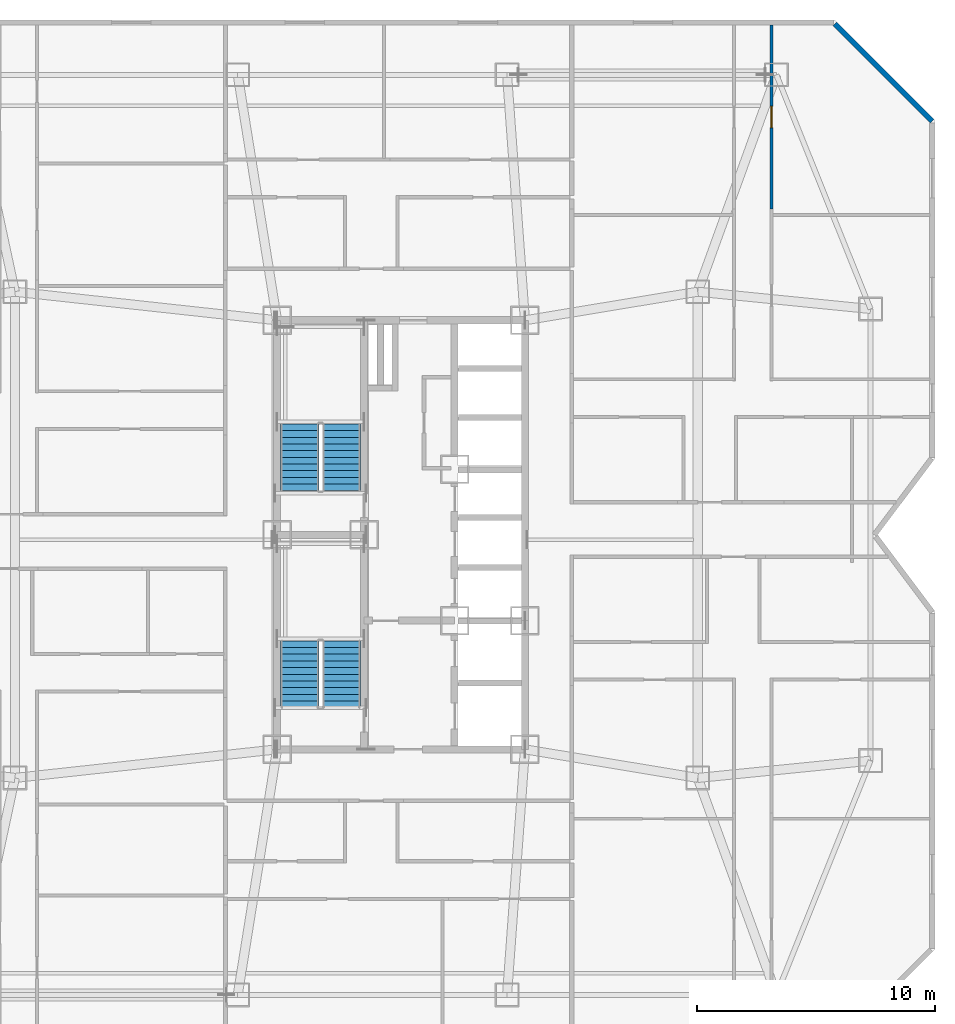
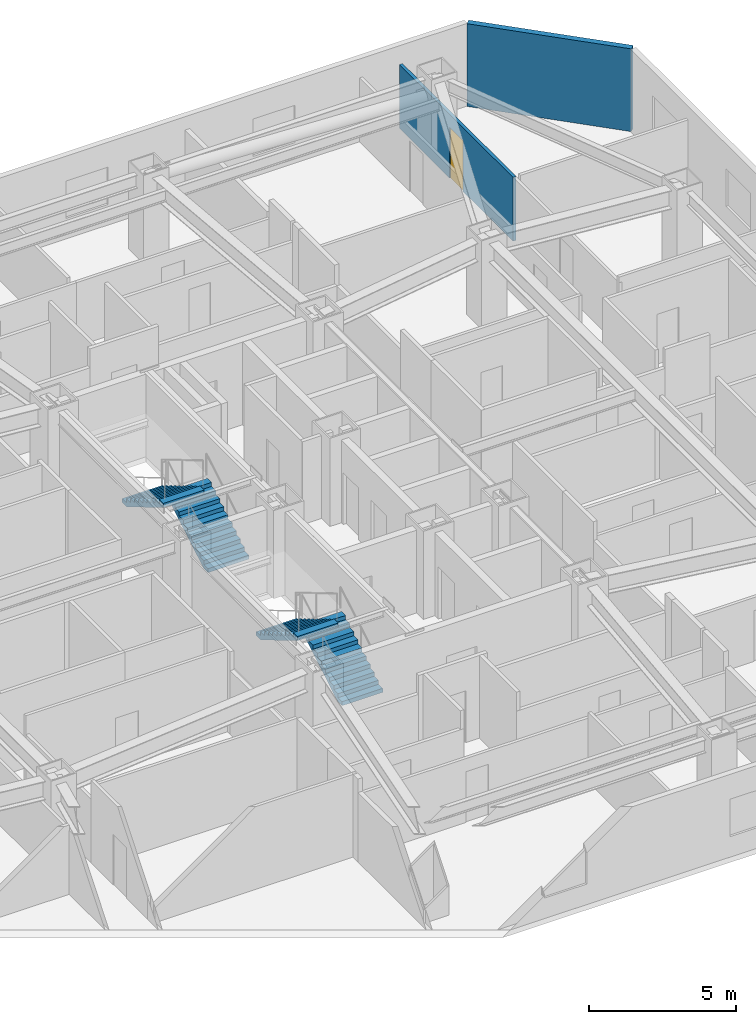
# One storey, part 9 of 10: 4 stair flights, 2 walls, 1 door, 1 opening, 2 elements without a shape of their own.
"""IFC4 building model written with IfcOpenShell, lengths in metres."""

from ifc_helpers import new_model, si_unit, direction, frame, frame_2d, origin, place, context, subcontext, project, spatial, polyline, rectangle, outline, extrude, material, layer, layer_set, type_object, element, fill, aggregate, save


model = new_model("IFC4")

# Units and contexts
model_context = context("Model", 3, precision=1e-05, world=origin(), true_north=direction((0.0, 1.0)))
body_context = subcontext(model_context, "Body", "Model", "MODEL_VIEW")
ifc_project = project(units=[si_unit("LENGTHUNIT", "METRE"), si_unit("AREAUNIT", "SQUARE_METRE"), si_unit("VOLUMEUNIT", "CUBIC_METRE"), si_unit("PLANEANGLEUNIT", "RADIAN"), si_unit("MASSUNIT", "GRAM", prefix="KILO")], contexts=[model_context])

# Site, building, storey
site_placement = place(None, origin())
site = spatial("IfcSite", under=ifc_project, at=site_placement, CompositionType="ELEMENT")
building_placement = place(site_placement, origin())
building = spatial("IfcBuilding", under=site, at=building_placement, Name="Khamvora Tower", CompositionType="ELEMENT")
storey_placement = place(building_placement, frame((0.0, 0.0, 94.60009765625)))
storey = spatial("IfcBuildingStorey", under=building, at=storey_placement, Name="L23", CompositionType="ELEMENT", Elevation=94.60009765625)

# Wall
ifc_material_1 = material(Name="Precast concrete C40/50", Category="concrete")
ifc_layer_1 = layer(ifc_material_1, 0.219970703125)
ifc_layer_set_1 = layer_set([ifc_layer_1], Name="Precast concrete C40/50")
wall_type_1 = type_object("IfcWallType", Name="WAL-EXT-220", PredefinedType="STANDARD", material=ifc_layer_set_1)
wall_1_placement = place(storey_placement, frame((52.402099609375, 49.44189453125, 0.0), z_axis=(0.0, 0.0, 1.0), x_axis=(0.707106781187, -0.707106781187, 0.0)))
element("IfcWall", 1, at=wall_1_placement, inside=storey, type_object=wall_type_1, Name="L23 exterior facade wall 08.1", PredefinedType="STANDARD", context=body_context, shape_type="SweptSolid", body=[
    extrude(rectangle(XDim=5.78125, YDim=0.219970703125, at=frame_2d((2.890625, 0.0))), origin(), (0.0, 0.0, 1.0), 3.429931640625),
])

# Wall, opening, door
ifc_material_2 = material(Name="Gypsum Plasterboard Partition", Category="gypsum")
ifc_layer_2 = layer(ifc_material_2, 0.1201171875)
ifc_layer_set_2 = layer_set([ifc_layer_2], Name="Gypsum Plasterboard Partition")
wall_type_2 = type_object("IfcWallType", Name="WAL-PART-120", PredefinedType="PARTITIONING", material=ifc_layer_set_2)
wall_2_placement = place(storey_placement, frame((49.7451171875, 49.387939453125, 0.0), z_axis=(0.0, 0.0, 1.0), x_axis=(0.0, -1.0, 0.0)))
wall_2 = element("IfcWall", 2, at=wall_2_placement, inside=storey, type_object=wall_type_2, Name="L23 interior partition wall 120", PredefinedType="PARTITIONING", context=body_context, shape_type="SweptSolid", body=[
    extrude(rectangle(XDim=7.71484375, YDim=0.1201171875, at=frame_2d((3.857421875, 0.0))), origin(), (0.0, 0.0, 1.0), 2.64697265625),
])
opening_placement = place(wall_2_placement, frame((3.406982421875, 0.0, 0.0)))
opening = element("IfcOpeningElement", 3, at=opening_placement, cuts=wall_2, Name="Opening D-RM1", PredefinedType="OPENING", context=body_context, shape_type="SweptSolid", body=[
    extrude(rectangle(XDim=0.89990234375, YDim=2.10009765625, at=frame_2d((0.449951171875, 1.050048828125))), frame((0.0, 0.070068359375, 0.0), z_axis=(0.0, -1.0, 0.0), x_axis=(1.0, 0.0, 0.0)), (0.0, 0.0, 1.0), 0.14013671875),
])
ifc_material_3 = material(Name="Powder-Coated Steel and Hardwood Leaf", Category="steel")
door_type = type_object("IfcDoorType", Name="DOR-ROOM-900", OperationType="NOTDEFINED", PredefinedType="DOOR", material=ifc_material_3)
door_placement = place(opening_placement, origin())
door = element("IfcDoor", 4, at=door_placement, inside=storey, type_object=door_type, Name="L23 interior door 23EBH-23EBR4", OperationType="SINGLE_SWING_RIGHT", OverallHeight=2.10009765625, OverallWidth=0.89990234375, PredefinedType="DOOR", context=body_context, shape_type="SweptSolid", body=[
    extrude(rectangle(XDim=0.89990234375, YDim=2.10009765625, at=frame_2d((0.449951171875, 1.050048828125))), frame((0.0, 0.02490234375, 0.0), z_axis=(0.0, -1.0, 0.0), x_axis=(1.0, 0.0, 0.0)), (0.0, 0.0, 1.0), 0.050048828125),
])
fill(opening, door)

# Stair, stair flights
ifc_material_4 = material(Name="Concrete C40/50", Category="concrete")
stair_type_1 = type_object("IfcStairType", Name="STR-ST-01", PredefinedType="HALF_TURN_STAIR", material=ifc_material_4)
stair_1_placement = place(storey_placement, origin())
stair_1 = element("IfcStair", 5, at=stair_1_placement, inside=storey, type_object=stair_type_1, Name="L23 South Tower Exit Stair ST-01", PredefinedType="HALF_TURN_STAIR")
stair_flight_type_1 = type_object("IfcStairFlightType", Name="STF-ST-01", PredefinedType="STRAIGHT", material=ifc_material_4)
stair_flight_1_placement = place(storey_placement, frame((31.699951171875, 20.75, 0.0), z_axis=(0.0, 0.0, 1.0), x_axis=(0.0, 1.0, 0.0)))
stair_flight_1 = element("IfcStairFlight", 6, at=stair_flight_1_placement, type_object=stair_flight_type_1, Name="ST-01 flight 1", NumberOfRisers=11, NumberOfTreads=10, PredefinedType="STRAIGHT", RiserHeight=0.165909091, TreadLength=0.28, context=body_context, shape_type="SweptSolid", body=[
    extrude(outline(polyline([(0.0, 0.0), (0.0, 0.166015625), (0.280029296875, 0.166015625), (0.280029296875, 0.331787109375), (0.56005859375, 0.331787109375), (0.56005859375, 0.497802734375), (0.840087890625, 0.497802734375), (0.840087890625, 0.66357421875), (1.1201171875, 0.66357421875), (1.1201171875, 0.82958984375), (1.39990234375, 0.82958984375), (1.39990234375, 0.995361328125), (1.679931640625, 0.995361328125), (1.679931640625, 1.161376953125), (1.9599609375, 1.161376953125), (1.9599609375, 1.327392578125), (2.239990234375, 1.327392578125), (2.239990234375, 1.4931640625), (2.52001953125, 1.4931640625), (2.52001953125, 1.6591796875), (2.800048828125, 1.6591796875), (2.800048828125, 1.824951171875), (2.800048828125, 1.48486328125), (0.2939453125, 0.0), (0.0, 0.0)])), frame((0.0, 0.800048828125, 0.0), z_axis=(0.0, -1.0, 0.0), x_axis=(1.0, 0.0, 0.0)), (0.0, 0.0, 1.0), 1.60009765625),
])
stair_flight_2_placement = place(storey_placement, frame((29.949951171875, 23.550048828125, 1.824951171875), z_axis=(0.0, 0.0, 1.0), x_axis=(0.0, -1.0, 0.0)))
stair_flight_2 = element("IfcStairFlight", 7, at=stair_flight_2_placement, type_object=stair_flight_type_1, Name="ST-01 flight 2", NumberOfRisers=11, NumberOfTreads=10, PredefinedType="STRAIGHT", RiserHeight=0.165909091, TreadLength=0.28, context=body_context, shape_type="SweptSolid", body=[
    extrude(outline(polyline([(0.0, 0.0), (0.0, 0.166015625), (0.280029296875, 0.166015625), (0.280029296875, 0.331787109375), (0.56005859375, 0.331787109375), (0.56005859375, 0.497802734375), (0.840087890625, 0.497802734375), (0.840087890625, 0.66357421875), (1.1201171875, 0.66357421875), (1.1201171875, 0.82958984375), (1.39990234375, 0.82958984375), (1.39990234375, 0.995361328125), (1.679931640625, 0.995361328125), (1.679931640625, 1.161376953125), (1.9599609375, 1.161376953125), (1.9599609375, 1.327392578125), (2.239990234375, 1.327392578125), (2.239990234375, 1.4931640625), (2.52001953125, 1.4931640625), (2.52001953125, 1.6591796875), (2.800048828125, 1.6591796875), (2.800048828125, 1.824951171875), (2.800048828125, 1.48486328125), (0.2939453125, 0.0), (0.0, 0.0)])), frame((0.0, 0.800048828125, 0.0), z_axis=(0.0, -1.0, 0.0), x_axis=(1.0, 0.0, 0.0)), (0.0, 0.0, 1.0), 1.60009765625),
])
aggregate(stair_1, [stair_flight_1, stair_flight_2])

stair_type_2 = type_object("IfcStairType", Name="STR-ST-02", PredefinedType="HALF_TURN_STAIR", material=ifc_material_4)
stair_2_placement = place(storey_placement, origin())
stair_2 = element("IfcStair", 8, at=stair_2_placement, inside=storey, type_object=stair_type_2, Name="L23 North Tower Exit Stair ST-02", PredefinedType="HALF_TURN_STAIR")
stair_flight_type_2 = type_object("IfcStairFlightType", Name="STF-ST-02", PredefinedType="STRAIGHT", material=ifc_material_4)
stair_flight_3_placement = place(storey_placement, frame((31.699951171875, 29.85009765625, 0.0), z_axis=(0.0, 0.0, 1.0), x_axis=(0.0, 1.0, 0.0)))
stair_flight_3 = element("IfcStairFlight", 9, at=stair_flight_3_placement, type_object=stair_flight_type_2, Name="ST-02 flight 1", NumberOfRisers=11, NumberOfTreads=10, PredefinedType="STRAIGHT", RiserHeight=0.165909091, TreadLength=0.28, context=body_context, shape_type="SweptSolid", body=[
    extrude(outline(polyline([(0.0, 0.0), (0.0, 0.166015625), (0.280029296875, 0.166015625), (0.280029296875, 0.331787109375), (0.56005859375, 0.331787109375), (0.56005859375, 0.497802734375), (0.840087890625, 0.497802734375), (0.840087890625, 0.66357421875), (1.1201171875, 0.66357421875), (1.1201171875, 0.82958984375), (1.39990234375, 0.82958984375), (1.39990234375, 0.995361328125), (1.679931640625, 0.995361328125), (1.679931640625, 1.161376953125), (1.9599609375, 1.161376953125), (1.9599609375, 1.327392578125), (2.239990234375, 1.327392578125), (2.239990234375, 1.4931640625), (2.52001953125, 1.4931640625), (2.52001953125, 1.6591796875), (2.800048828125, 1.6591796875), (2.800048828125, 1.824951171875), (2.800048828125, 1.48486328125), (0.2939453125, 0.0), (0.0, 0.0)])), frame((0.0, 0.800048828125, 0.0), z_axis=(0.0, -1.0, 0.0), x_axis=(1.0, 0.0, 0.0)), (0.0, 0.0, 1.0), 1.60009765625),
])
stair_flight_4_placement = place(storey_placement, frame((29.949951171875, 32.64990234375, 1.824951171875), z_axis=(0.0, 0.0, 1.0), x_axis=(0.0, -1.0, 0.0)))
stair_flight_4 = element("IfcStairFlight", 10, at=stair_flight_4_placement, type_object=stair_flight_type_2, Name="ST-02 flight 2", NumberOfRisers=11, NumberOfTreads=10, PredefinedType="STRAIGHT", RiserHeight=0.165909091, TreadLength=0.28, context=body_context, shape_type="SweptSolid", body=[
    extrude(outline(polyline([(0.0, 0.0), (0.0, 0.166015625), (0.280029296875, 0.166015625), (0.280029296875, 0.331787109375), (0.56005859375, 0.331787109375), (0.56005859375, 0.497802734375), (0.840087890625, 0.497802734375), (0.840087890625, 0.66357421875), (1.1201171875, 0.66357421875), (1.1201171875, 0.82958984375), (1.39990234375, 0.82958984375), (1.39990234375, 0.995361328125), (1.679931640625, 0.995361328125), (1.679931640625, 1.161376953125), (1.9599609375, 1.161376953125), (1.9599609375, 1.327392578125), (2.239990234375, 1.327392578125), (2.239990234375, 1.4931640625), (2.52001953125, 1.4931640625), (2.52001953125, 1.6591796875), (2.800048828125, 1.6591796875), (2.800048828125, 1.824951171875), (2.800048828125, 1.48486328125), (0.2939453125, 0.0), (0.0, 0.0)])), frame((0.0, 0.800048828125, 0.0), z_axis=(0.0, -1.0, 0.0), x_axis=(1.0, 0.0, 0.0)), (0.0, 0.0, 1.0), 1.60009765625),
])
aggregate(stair_2, [stair_flight_3, stair_flight_4])

save(model, "model.ifc")
